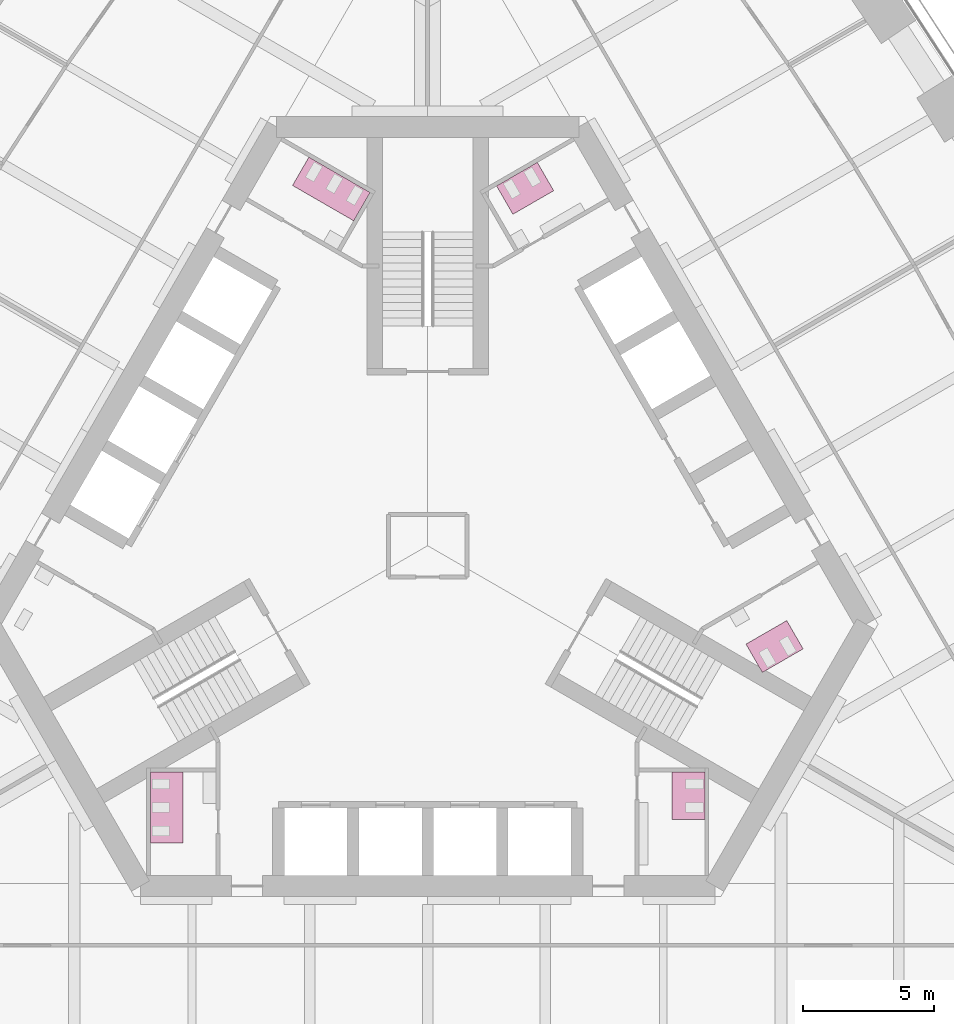
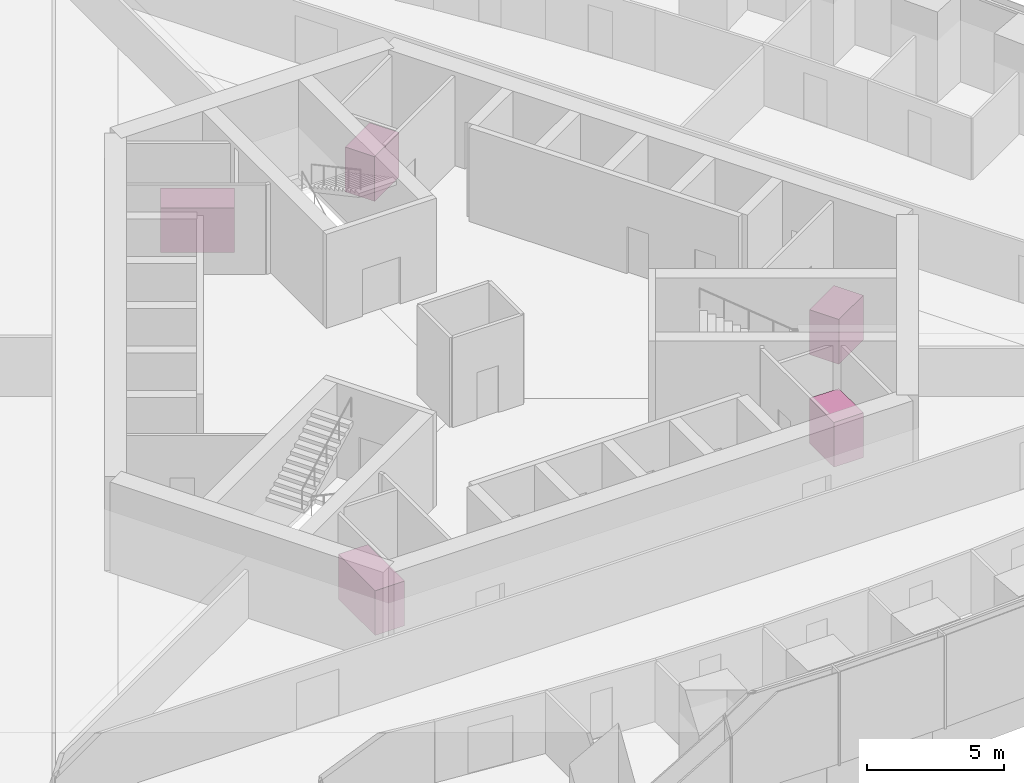
# One storey, part 19 of 19: 5 furniture elements.
"""IFC4 building model written with IfcOpenShell, lengths in metres."""

from ifc_helpers import new_model, si_unit, direction, frame, origin, place, context, subcontext, project, spatial, polyline, outline, extrude, material, type_object, element, save


model = new_model("IFC4")

# Units and contexts
model_context = context("Model", 3, precision=1e-05, world=origin(), true_north=direction((0.0, 1.0)))
body_context = subcontext(model_context, "Body", "Model", "MODEL_VIEW")
ifc_project = project(units=[si_unit("LENGTHUNIT", "METRE"), si_unit("AREAUNIT", "SQUARE_METRE"), si_unit("VOLUMEUNIT", "CUBIC_METRE"), si_unit("PLANEANGLEUNIT", "RADIAN"), si_unit("MASSUNIT", "GRAM", prefix="KILO")], contexts=[model_context])

# Site, building, storey
site_placement = place(None, origin())
site = spatial("IfcSite", under=ifc_project, at=site_placement, CompositionType="ELEMENT")
building_placement = place(site_placement, origin())
building = spatial("IfcBuilding", under=site, at=building_placement, Name="Trefoil Bronze Tower", CompositionType="ELEMENT")
storey_placement = place(building_placement, frame((0.0, 0.0, 166.10009765625)))
storey = spatial("IfcBuildingStorey", under=building, at=storey_placement, Name="L38", CompositionType="ELEMENT", Elevation=166.10009765625)

# Furniture
ifc_material_1 = material(Name="Compact laminate cubicles", Category="plastic")
furniture_type_1 = type_object("IfcFurnitureType", Name="WC cubicle range 2 cubicles", AssemblyPlace="FACTORY", PredefinedType="USERDEFINED", material=ifc_material_1)
furniture_1_placement = place(storey_placement, origin())
element("IfcFurniture", 1, at=furniture_1_placement, inside=storey, type_object=furniture_type_1, Name="WC cubicle range WC (men) L38", ObjectType="WC cubicle range", PredefinedType="USERDEFINED", context=body_context, shape_type="SweptSolid", body=[
    extrude(outline(polyline([(9.3349609375, -8.64990234375), (10.5849609375, -8.64990234375), (10.5849609375, -10.449951171875), (9.3349609375, -10.449951171875), (9.3349609375, -8.64990234375)])), origin(), (0.0, 0.0, 1.0), 2.0),
])
furniture_2_placement = place(storey_placement, origin())
element("IfcFurniture", 2, at=furniture_2_placement, inside=storey, type_object=furniture_type_1, Name="WC cubicle range WC (women) L38", ObjectType="WC cubicle range", PredefinedType="USERDEFINED", context=body_context, shape_type="SweptSolid", body=[
    extrude(outline(polyline([(12.15869140625, -3.75927734375), (12.78369140625, -4.841796875), (14.342529296875, -3.94189453125), (13.717529296875, -2.859375), (12.15869140625, -3.75927734375)])), origin(), (0.0, 0.0, 1.0), 2.0),
])
furniture_3_placement = place(storey_placement, origin())
element("IfcFurniture", 3, at=furniture_3_placement, inside=storey, type_object=furniture_type_1, Name="WC cubicle range WC (men) L38", ObjectType="WC cubicle range", PredefinedType="USERDEFINED", context=body_context, shape_type="SweptSolid", body=[
    extrude(outline(polyline([(3.256591796875, 12.659423828125), (2.631591796875, 13.741943359375), (4.1904296875, 14.641845703125), (4.8154296875, 13.559326171875), (3.256591796875, 12.659423828125)])), origin(), (0.0, 0.0, 1.0), 2.0),
])
ifc_material_2 = material(Name="Compact laminate cubicles", Category="plastic")
furniture_type_2 = type_object("IfcFurnitureType", Name="WC cubicle range 3 cubicles", AssemblyPlace="FACTORY", PredefinedType="USERDEFINED", material=ifc_material_2)
furniture_4_placement = place(storey_placement, origin())
element("IfcFurniture", 4, at=furniture_4_placement, inside=storey, type_object=furniture_type_2, Name="WC cubicle range WC (women) L38", ObjectType="WC cubicle range", PredefinedType="USERDEFINED", context=body_context, shape_type="SweptSolid", body=[
    extrude(outline(polyline([(-2.82373046875, 12.409423828125), (-2.19873046875, 13.491943359375), (-4.536865234375, 14.841796875), (-5.161865234375, 13.75927734375), (-2.82373046875, 12.409423828125)])), origin(), (0.0, 0.0, 1.0), 2.0),
])
furniture_5_placement = place(storey_placement, origin())
element("IfcFurniture", 5, at=furniture_5_placement, inside=storey, type_object=furniture_type_2, Name="WC cubicle range WC (women) L38", ObjectType="WC cubicle range", PredefinedType="USERDEFINED", context=body_context, shape_type="SweptSolid", body=[
    extrude(outline(polyline([(-9.3349609375, -8.64990234375), (-10.5849609375, -8.64990234375), (-10.5849609375, -11.35009765625), (-9.3349609375, -11.35009765625), (-9.3349609375, -8.64990234375)])), origin(), (0.0, 0.0, 1.0), 2.0),
])

save(model, "model.ifc")
